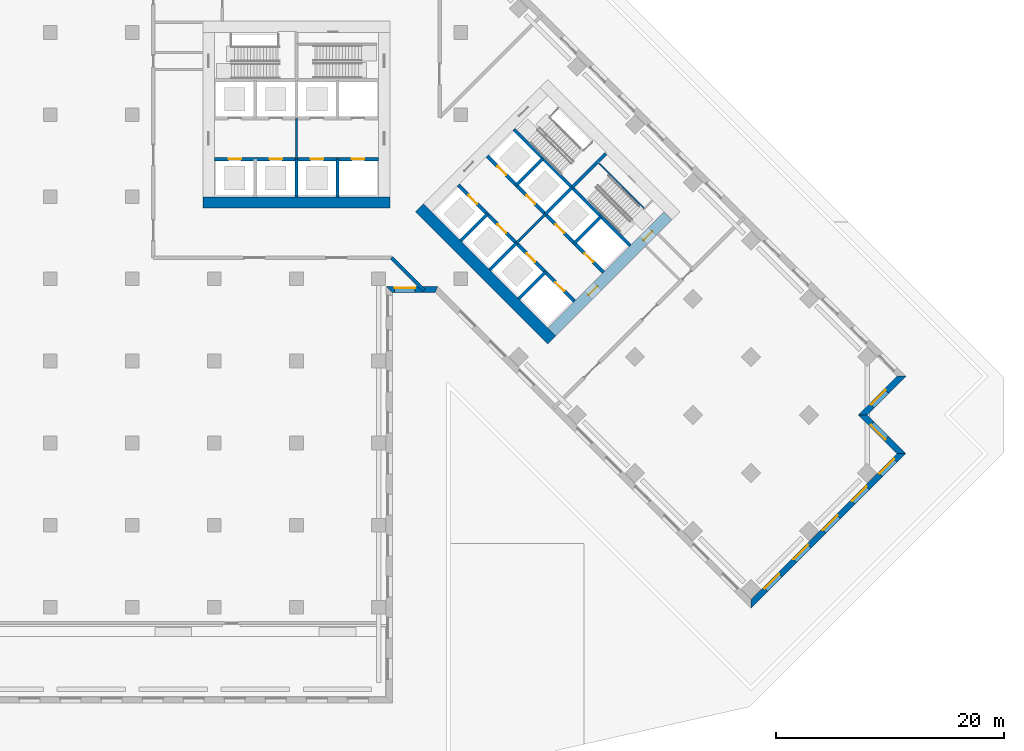
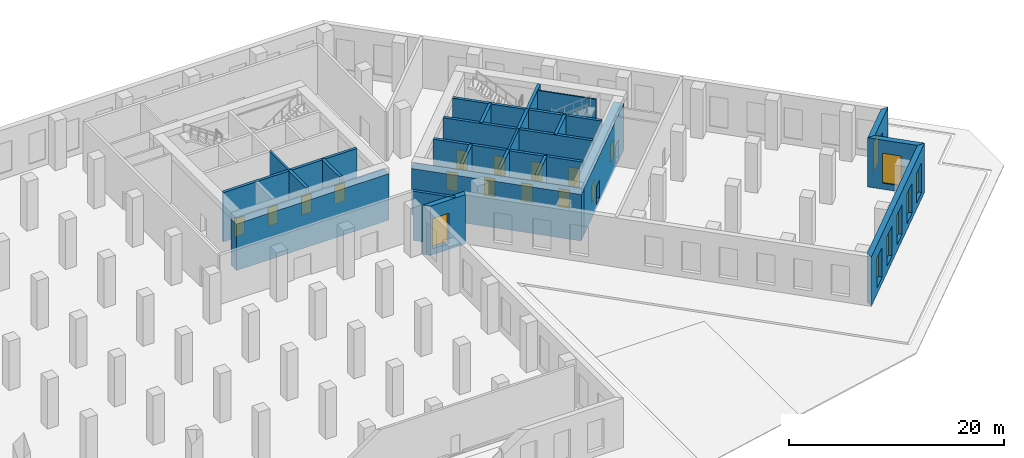
# One storey, part 6 of 15: 25 walls, 14 doors, 8 windows, 22 openings.
"""IFC4 building model written with IfcOpenShell, lengths in metres."""

from ifc_helpers import new_model, si_unit, direction, frame, frame_2d, origin, place, context, subcontext, project, spatial, polyline, rectangle, outline, extrude, material, layer, layer_set, type_object, element, fill, save


model = new_model("IFC4")

# Units and contexts
model_context = context("Model", 3, precision=1e-05, world=origin(), true_north=direction((0.0, 1.0)))
body_context = subcontext(model_context, "Body", "Model", "MODEL_VIEW")
ifc_project = project(units=[si_unit("LENGTHUNIT", "METRE"), si_unit("AREAUNIT", "SQUARE_METRE"), si_unit("VOLUMEUNIT", "CUBIC_METRE"), si_unit("PLANEANGLEUNIT", "RADIAN"), si_unit("MASSUNIT", "GRAM", prefix="KILO")], contexts=[model_context])

# Site, building, storey
site_placement = place(None, origin())
site = spatial("IfcSite", under=ifc_project, at=site_placement, CompositionType="ELEMENT")
building_placement = place(site_placement, origin())
building = spatial("IfcBuilding", under=site, at=building_placement, Name="Windrow Commons", CompositionType="ELEMENT")
storey_placement = place(building_placement, origin())
storey = spatial("IfcBuildingStorey", under=building, at=storey_placement, Name="L00", CompositionType="ELEMENT", Elevation=0.0)

# Wall, openings, windows
ifc_material_1 = material(Name="Brick masonry, red clay brick", Category="masonry")
ifc_layer_1 = layer(ifc_material_1, 0.55)
ifc_layer_set_1 = layer_set([ifc_layer_1], Name="Brick facade wall 550")
wall_type_1 = type_object("IfcWallType", Name="Brick facade wall 550", PredefinedType="SOLIDWALL", material=ifc_layer_set_1)
wall_1_placement = place(storey_placement, frame((104.6558, 14.689, 0.0), z_axis=(0.0, 0.0, 1.0), x_axis=(0.7071094621, 0.7071041002, 0.0)))
wall_1 = element("IfcWall", 1, at=wall_1_placement, inside=storey, type_object=wall_type_1, Name="Brick facade wall L00 1", PredefinedType="SOLIDWALL", context=body_context, shape_type="SweptSolid", body=[
    extrude(outline(polyline([(-0.275, -0.275), (18.925, -0.275), (18.375, 0.275), (0.275, 0.275), (-0.275, -0.275)])), origin(), (0.0, 0.0, 1.0), 5.6),
])
opening_1_placement = place(wall_1_placement, frame((1.825, 0.0, 0.7)))
opening_1 = element("IfcOpeningElement", 2, at=opening_1_placement, cuts=wall_1, Name="Opening W3", PredefinedType="OPENING", context=body_context, shape_type="SweptSolid", body=[
    extrude(rectangle(XDim=1.8, YDim=3.4, at=frame_2d((0.9, 1.7))), frame((0.0, 0.285, 0.0), z_axis=(0.0, -1.0, 0.0), x_axis=(1.0, 0.0, 0.0)), (0.0, 0.0, 1.0), 0.57),
])
opening_2_placement = place(wall_1_placement, frame((5.425, 0.0, 0.7)))
opening_2 = element("IfcOpeningElement", 3, at=opening_2_placement, cuts=wall_1, Name="Opening W3", PredefinedType="OPENING", context=body_context, shape_type="SweptSolid", body=[
    extrude(rectangle(XDim=1.8, YDim=3.4, at=frame_2d((0.9, 1.7))), frame((0.0, 0.285, 0.0), z_axis=(0.0, -1.0, 0.0), x_axis=(1.0, 0.0, 0.0)), (0.0, 0.0, 1.0), 0.57),
])
opening_3_placement = place(wall_1_placement, frame((9.025, 0.0, 0.7)))
opening_3 = element("IfcOpeningElement", 4, at=opening_3_placement, cuts=wall_1, Name="Opening W3", PredefinedType="OPENING", context=body_context, shape_type="SweptSolid", body=[
    extrude(rectangle(XDim=1.8, YDim=3.4, at=frame_2d((0.9, 1.7))), frame((0.0, 0.285, 0.0), z_axis=(0.0, -1.0, 0.0), x_axis=(1.0, 0.0, 0.0)), (0.0, 0.0, 1.0), 0.57),
])
opening_4_placement = place(wall_1_placement, frame((12.625, 0.0, 0.7)))
opening_4 = element("IfcOpeningElement", 5, at=opening_4_placement, cuts=wall_1, Name="Opening W3", PredefinedType="OPENING", context=body_context, shape_type="SweptSolid", body=[
    extrude(rectangle(XDim=1.8, YDim=3.4, at=frame_2d((0.9, 1.7))), frame((0.0, 0.285, 0.0), z_axis=(0.0, -1.0, 0.0), x_axis=(1.0, 0.0, 0.0)), (0.0, 0.0, 1.0), 0.57),
])
opening_5_placement = place(wall_1_placement, frame((16.05, 0.0, 0.7)))
opening_5 = element("IfcOpeningElement", 6, at=opening_5_placement, cuts=wall_1, Name="Opening W3", PredefinedType="OPENING", context=body_context, shape_type="SweptSolid", body=[
    extrude(rectangle(XDim=1.8, YDim=3.4, at=frame_2d((0.9, 1.7))), frame((0.0, 0.285, 0.0), z_axis=(0.0, -1.0, 0.0), x_axis=(1.0, 0.0, 0.0)), (0.0, 0.0, 1.0), 0.57),
])
ifc_material_2 = material(Name="Clear float glass in anodised aluminium frame", Category="aluminium")
window_type = type_object("IfcWindowType", Name="Window W3 shopfront 1800x3400", PartitioningType="SINGLE_PANEL", PredefinedType="WINDOW", material=ifc_material_2)
window_1_placement = place(opening_1_placement, origin())
window_1 = element("IfcWindow", 7, at=window_1_placement, inside=storey, type_object=window_type, Name="Window L00 1.1", OverallHeight=3.4, OverallWidth=1.8, PartitioningType="SINGLE_PANEL", PredefinedType="WINDOW", context=body_context, shape_type="SweptSolid", body=[
    extrude(rectangle(XDim=1.8, YDim=3.4, at=frame_2d((0.9, 1.7))), frame((0.0, 0.155, 0.0), z_axis=(0.0, -1.0, 0.0), x_axis=(1.0, 0.0, 0.0)), (0.0, 0.0, 1.0), 0.06),
])
fill(opening_1, window_1)
window_2_placement = place(opening_2_placement, origin())
window_2 = element("IfcWindow", 8, at=window_2_placement, inside=storey, type_object=window_type, Name="Window L00 1.2", OverallHeight=3.4, OverallWidth=1.8, PartitioningType="SINGLE_PANEL", PredefinedType="WINDOW", context=body_context, shape_type="SweptSolid", body=[
    extrude(rectangle(XDim=1.8, YDim=3.4, at=frame_2d((0.9, 1.7))), frame((0.0, 0.155, 0.0), z_axis=(0.0, -1.0, 0.0), x_axis=(1.0, 0.0, 0.0)), (0.0, 0.0, 1.0), 0.06),
])
fill(opening_2, window_2)
window_3_placement = place(opening_3_placement, origin())
window_3 = element("IfcWindow", 9, at=window_3_placement, inside=storey, type_object=window_type, Name="Window L00 1.3", OverallHeight=3.4, OverallWidth=1.8, PartitioningType="SINGLE_PANEL", PredefinedType="WINDOW", context=body_context, shape_type="SweptSolid", body=[
    extrude(rectangle(XDim=1.8, YDim=3.4, at=frame_2d((0.9, 1.7))), frame((0.0, 0.155, 0.0), z_axis=(0.0, -1.0, 0.0), x_axis=(1.0, 0.0, 0.0)), (0.0, 0.0, 1.0), 0.06),
])
fill(opening_3, window_3)
window_4_placement = place(opening_4_placement, origin())
window_4 = element("IfcWindow", 10, at=window_4_placement, inside=storey, type_object=window_type, Name="Window L00 1.4", OverallHeight=3.4, OverallWidth=1.8, PartitioningType="SINGLE_PANEL", PredefinedType="WINDOW", context=body_context, shape_type="SweptSolid", body=[
    extrude(rectangle(XDim=1.8, YDim=3.4, at=frame_2d((0.9, 1.7))), frame((0.0, 0.155, 0.0), z_axis=(0.0, -1.0, 0.0), x_axis=(1.0, 0.0, 0.0)), (0.0, 0.0, 1.0), 0.06),
])
fill(opening_4, window_4)
window_5_placement = place(opening_5_placement, origin())
window_5 = element("IfcWindow", 11, at=window_5_placement, inside=storey, type_object=window_type, Name="Window L00 1.5", OverallHeight=3.4, OverallWidth=1.8, PartitioningType="SINGLE_PANEL", PredefinedType="WINDOW", context=body_context, shape_type="SweptSolid", body=[
    extrude(rectangle(XDim=1.8, YDim=3.4, at=frame_2d((0.9, 1.7))), frame((0.0, 0.155, 0.0), z_axis=(0.0, -1.0, 0.0), x_axis=(1.0, 0.0, 0.0)), (0.0, 0.0, 1.0), 0.06),
])
fill(opening_5, window_5)

# Wall, opening, window
wall_2_placement = place(storey_placement, frame((117.8434, 27.8765, 0.0), z_axis=(0.0, 0.0, 1.0), x_axis=(-0.7071067812, 0.7071067812, 0.0)))
wall_2 = element("IfcWall", 12, at=wall_2_placement, inside=storey, type_object=wall_type_1, Name="Brick facade wall L00 2", PredefinedType="SOLIDWALL", context=body_context, shape_type="SweptSolid", body=[
    extrude(outline(polyline([(-0.275, -0.275), (4.525, -0.275), (5.075, 0.275), (0.275, 0.275), (-0.275, -0.275)])), origin(), (0.0, 0.0, 1.0), 5.6),
])
opening_6_placement = place(wall_2_placement, frame((1.8625, 0.0, 0.7)))
opening_6 = element("IfcOpeningElement", 13, at=opening_6_placement, cuts=wall_2, Name="Opening W3", PredefinedType="OPENING", context=body_context, shape_type="SweptSolid", body=[
    extrude(rectangle(XDim=1.8, YDim=3.4, at=frame_2d((0.9, 1.7))), frame((0.0, 0.285, 0.0), z_axis=(0.0, -1.0, 0.0), x_axis=(1.0, 0.0, 0.0)), (0.0, 0.0, 1.0), 0.57),
])
window_6_placement = place(opening_6_placement, origin())
window_6 = element("IfcWindow", 14, at=window_6_placement, inside=storey, type_object=window_type, Name="Window L00 2.1", OverallHeight=3.4, OverallWidth=1.8, PartitioningType="SINGLE_PANEL", PredefinedType="WINDOW", context=body_context, shape_type="SweptSolid", body=[
    extrude(rectangle(XDim=1.8, YDim=3.4, at=frame_2d((0.9, 1.7))), frame((0.0, 0.155, 0.0), z_axis=(0.0, -1.0, 0.0), x_axis=(1.0, 0.0, 0.0)), (0.0, 0.0, 1.0), 0.06),
])
fill(opening_6, window_6)

wall_3_placement = place(storey_placement, frame((114.4493, 31.2706, 0.0), z_axis=(0.0, 0.0, 1.0), x_axis=(0.7070963646, 0.7071171977, 0.0)))
wall_3 = element("IfcWall", 15, at=wall_3_placement, inside=storey, type_object=wall_type_1, Name="Brick facade wall L00 3", PredefinedType="SOLIDWALL", context=body_context, shape_type="SweptSolid", body=[
    extrude(outline(polyline([(0.275, -0.275), (5.075, -0.275), (4.5251, 0.275), (-0.275, 0.275), (0.275, -0.275)])), origin(), (0.0, 0.0, 1.0), 5.6),
])
opening_7_placement = place(wall_3_placement, frame((1.1375, 0.0, 0.7)))
opening_7 = element("IfcOpeningElement", 16, at=opening_7_placement, cuts=wall_3, Name="Opening W3", PredefinedType="OPENING", context=body_context, shape_type="SweptSolid", body=[
    extrude(rectangle(XDim=1.8, YDim=3.4, at=frame_2d((0.9, 1.7))), frame((0.0, 0.285, 0.0), z_axis=(0.0, -1.0, 0.0), x_axis=(1.0, 0.0, 0.0)), (0.0, 0.0, 1.0), 0.57),
])
window_7_placement = place(opening_7_placement, origin())
window_7 = element("IfcWindow", 17, at=window_7_placement, inside=storey, type_object=window_type, Name="Window L00 3.1", OverallHeight=3.4, OverallWidth=1.8, PartitioningType="SINGLE_PANEL", PredefinedType="WINDOW", context=body_context, shape_type="SweptSolid", body=[
    extrude(rectangle(XDim=1.8, YDim=3.4, at=frame_2d((0.9, 1.7))), frame((0.0, 0.155, 0.0), z_axis=(0.0, -1.0, 0.0), x_axis=(1.0, 0.0, 0.0)), (0.0, 0.0, 1.0), 0.06),
])
fill(opening_7, window_7)

wall_4_placement = place(storey_placement, frame((72.925, 42.275, 0.0), z_axis=(0.0, 0.0, 1.0), x_axis=(1.0, 0.0, 0.0)))
wall_4 = element("IfcWall", 18, at=wall_4_placement, inside=storey, type_object=wall_type_1, Name="Brick facade wall L00 16", PredefinedType="SOLIDWALL", context=body_context, shape_type="SweptSolid", body=[
    extrude(outline(polyline([(0.275, -0.275), (4.0309, -0.275), (4.2587, 0.275), (-0.275, 0.275), (0.275, -0.275)])), origin(), (0.0, 0.0, 1.0), 5.6),
])
opening_8_placement = place(wall_4_placement, frame((0.4875, 0.0, 0.7)))
opening_8 = element("IfcOpeningElement", 19, at=opening_8_placement, cuts=wall_4, Name="Opening W3", PredefinedType="OPENING", context=body_context, shape_type="SweptSolid", body=[
    extrude(rectangle(XDim=1.8, YDim=3.4, at=frame_2d((0.9, 1.7))), frame((0.0, 0.285, 0.0), z_axis=(0.0, -1.0, 0.0), x_axis=(1.0, 0.0, 0.0)), (0.0, 0.0, 1.0), 0.57),
])
window_8_placement = place(opening_8_placement, origin())
window_8 = element("IfcWindow", 20, at=window_8_placement, inside=storey, type_object=window_type, Name="Window L00 16.1", OverallHeight=3.4, OverallWidth=1.8, PartitioningType="SINGLE_PANEL", PredefinedType="WINDOW", context=body_context, shape_type="SweptSolid", body=[
    extrude(rectangle(XDim=1.8, YDim=3.4, at=frame_2d((0.9, 1.7))), frame((0.0, 0.155, 0.0), z_axis=(0.0, -1.0, 0.0), x_axis=(1.0, 0.0, 0.0)), (0.0, 0.0, 1.0), 0.06),
])
fill(opening_8, window_8)

# Walls
ifc_material_3 = material(Name="Blockwork partition", Category="masonry")
ifc_layer_2 = layer(ifc_material_3, 0.3)
ifc_layer_set_2 = layer_set([ifc_layer_2], Name="Entrance hall wall 300")
wall_type_2 = type_object("IfcWallType", Name="Entrance hall wall 300", PredefinedType="PARTITIONING", material=ifc_layer_set_2)
wall_5_placement = place(storey_placement, frame((75.9781, 42.2, 0.0), z_axis=(0.0, 0.0, 1.0), x_axis=(-0.7071067812, 0.7071067812, 0.0)))
element("IfcWall", 21, at=wall_5_placement, inside=storey, type_object=wall_type_2, Name="W-L00-ENT-05", PredefinedType="PARTITIONING", context=body_context, shape_type="SweptSolid", body=[
    extrude(rectangle(XDim=4.0305, YDim=0.3, at=frame_2d((2.0152, 0.0))), origin(), (0.0, 0.0, 1.0), 5.6),
])
ifc_material_4 = material(Name="Blockwork partition", Category="masonry")
ifc_layer_3 = layer(ifc_material_4, 0.2)
ifc_layer_set_3 = layer_set([ifc_layer_3], Name="Fire lobby partition 200")
wall_type_3 = type_object("IfcWallType", Name="Fire lobby partition 200", PredefinedType="PARTITIONING", material=ifc_layer_set_3)
for number, where, z_axis, x_axis, name in (
    (22, (64.8, 53.7, 0.0), (0.0, 0.0, 1.0), (0.0, 1.0, 0.0), "W-core-lobby-A-L00"),
    (23, (84.079, 46.332, 0.0), (0.0, 0.0, 1.0), (0.7071067812, 0.7071067812, 0.0), "W-core-lobby-B-L00"),
):
    element("IfcWall", number, at=place(storey_placement, frame(where, z_axis=z_axis, x_axis=x_axis)), inside=storey, type_object=wall_type_3, Name=name, PredefinedType="PARTITIONING", context=body_context, shape_type="SweptSolid", body=[
        extrude(rectangle(XDim=3.6, YDim=0.2, at=frame_2d((1.8, 0.0))), origin(), (0.0, 0.0, 1.0), 5.6),
    ])
ifc_material_5 = material(Name="Concrete C60/75", Category="concrete")
ifc_layer_4 = layer(ifc_material_5, 1.0)
ifc_layer_set_4 = layer_set([ifc_layer_4], Name="RC CORE WALL 1000 C60/75")
wall_type_4 = type_object("IfcWallType", Name="RC CORE WALL 1000 C60/75", PredefinedType="SHEAR", material=ifc_layer_set_4)
for number, where, z_axis, x_axis, name in (
    (24, (56.6, 49.9, -0.4), (0.0, 0.0, 1.0), (1.0, 0.0, 0.0), "Core A wall outer-S"),
    (25, (75.5938, 49.4433, -0.4), (0.0, 0.0, 1.0), (0.7071037324, -0.70710983, 0.0), "Core B wall outer-S"),
):
    element("IfcWall", number, at=place(storey_placement, frame(where, z_axis=z_axis, x_axis=x_axis)), inside=storey, type_object=wall_type_4, Name=name, PredefinedType="SHEAR", context=body_context, shape_type="SweptSolid", body=[
        extrude(rectangle(XDim=16.4, YDim=1.0, at=frame_2d((8.2, 0.0))), origin(), (0.0, 0.0, 1.0), 5.3),
    ])

# Wall, openings, doors
wall_6_placement = place(storey_placement, frame((87.1903, 38.5538, -0.4), z_axis=(0.0, 0.0, 1.0), x_axis=(0.707103309, 0.7071102534, 0.0)))
wall_6 = element("IfcWall", 26, at=wall_6_placement, inside=storey, type_object=wall_type_4, Name="Core B wall outer-E", PredefinedType="SHEAR", context=body_context, shape_type="SweptSolid", body=[
    extrude(rectangle(XDim=14.4, YDim=1.0, at=frame_2d((7.2, 0.0))), origin(), (0.0, 0.0, 1.0), 5.3),
])
opening_9_placement = place(wall_6_placement, frame((4.55, 0.0, 0.4)))
opening_9 = element("IfcOpeningElement", 27, at=opening_9_placement, cuts=wall_6, Name="Opening D6", PredefinedType="OPENING", context=body_context, shape_type="SweptSolid", body=[
    extrude(rectangle(XDim=1.1, YDim=2.1, at=frame_2d((0.55, 1.05))), frame((0.0, 0.51, 0.0), z_axis=(0.0, -1.0, 0.0), x_axis=(1.0, 0.0, 0.0)), (0.0, 0.0, 1.0), 1.02),
])
opening_10_placement = place(wall_6_placement, frame((11.35, 0.0, 0.4)))
opening_10 = element("IfcOpeningElement", 28, at=opening_10_placement, cuts=wall_6, Name="Opening D7", PredefinedType="OPENING", context=body_context, shape_type="SweptSolid", body=[
    extrude(rectangle(XDim=1.1, YDim=2.1, at=frame_2d((0.55, 1.05))), frame((0.0, 0.51, 0.0), z_axis=(0.0, -1.0, 0.0), x_axis=(1.0, 0.0, 0.0)), (0.0, 0.0, 1.0), 1.02),
])
ifc_material_6 = material(Name="Steel fire door leaf", Category="steel")
door_type_1 = type_object("IfcDoorType", Name="Core lobby door 1100", OperationType="SINGLE_SWING_LEFT", PredefinedType="DOOR", material=ifc_material_6)
door_1_placement = place(opening_9_placement, origin())
door_1 = element("IfcDoor", 29, at=door_1_placement, inside=storey, type_object=door_type_1, Name="Lift lobby door", OperationType="DOUBLE_DOOR_SINGLE_SWING", OverallHeight=2.1, OverallWidth=1.1, PredefinedType="DOOR", context=body_context, shape_type="SweptSolid", body=[
    extrude(rectangle(XDim=1.1, YDim=2.1, at=frame_2d((0.55, 1.05))), frame((0.0, 0.025, 0.0), z_axis=(0.0, -1.0, 0.0), x_axis=(1.0, 0.0, 0.0)), (0.0, 0.0, 1.0), 0.05),
])
fill(opening_9, door_1)
ifc_material_7 = material(Name="Steel fire door leaf", Category="steel")
door_type_2 = type_object("IfcDoorType", Name="Stair door 1100", OperationType="SINGLE_SWING_LEFT", PredefinedType="DOOR", material=ifc_material_7)
door_2_placement = place(opening_10_placement, origin())
door_2 = element("IfcDoor", 30, at=door_2_placement, inside=storey, type_object=door_type_2, Name="Stair door", OperationType="SINGLE_SWING_RIGHT", OverallHeight=2.1, OverallWidth=1.1, PredefinedType="DOOR", context=body_context, shape_type="SweptSolid", body=[
    extrude(rectangle(XDim=1.1, YDim=2.1, at=frame_2d((0.55, 1.05))), frame((0.0, 0.025, 0.0), z_axis=(0.0, -1.0, 0.0), x_axis=(1.0, 0.0, 0.0)), (0.0, 0.0, 1.0), 0.05),
])
fill(opening_10, door_2)

# Walls
ifc_material_8 = material(Name="Concrete C60/75", Category="concrete")
ifc_layer_5 = layer(ifc_material_8, 0.3)
ifc_layer_set_5 = layer_set([ifc_layer_5], Name="RC SHAFT WALL 300 C60/75")
wall_type_5 = type_object("IfcWallType", Name="RC SHAFT WALL 300 C60/75", PredefinedType="SOLIDWALL", material=ifc_layer_set_5)
for number, where, z_axis, x_axis, name in (
    (31, (64.8, 50.4, 0.0), (0.0, 0.0, 1.0), (0.0, 1.0, 0.0), "Core A wall shaft-S2"),
    (32, (68.4, 50.4, 0.0), (0.0, 0.0, 1.0), (0.0, 1.0, 0.0), "Core A wall shaft-S3"),
):
    element("IfcWall", number, at=place(storey_placement, frame(where, z_axis=z_axis, x_axis=x_axis)), inside=storey, type_object=wall_type_5, Name=name, PredefinedType="SOLIDWALL", context=body_context, shape_type="SweptSolid", body=[
        extrude(rectangle(XDim=3.3, YDim=0.3, at=frame_2d((1.65, 0.0))), origin(), (0.0, 0.0, 1.0), 5.6),
    ])

# Wall, openings, doors
wall_7_placement = place(storey_placement, frame((57.6, 53.7, 0.0), z_axis=(0.0, 0.0, 1.0), x_axis=(1.0, 0.0, 0.0)))
wall_7 = element("IfcWall", 33, at=wall_7_placement, inside=storey, type_object=wall_type_5, Name="Core A wall lobby-S", PredefinedType="SOLIDWALL", context=body_context, shape_type="SweptSolid", body=[
    extrude(rectangle(XDim=14.4, YDim=0.3, at=frame_2d((7.2, 0.0))), origin(), (0.0, 0.0, 1.0), 5.6),
])
opening_11_placement = place(wall_7_placement, frame((1.25, 0.0, 0.0)))
opening_11 = element("IfcOpeningElement", 34, at=opening_11_placement, cuts=wall_7, Name="Opening LD", PredefinedType="OPENING", context=body_context, shape_type="SweptSolid", body=[
    extrude(rectangle(XDim=1.1, YDim=2.1, at=frame_2d((0.55, 1.05))), frame((0.0, 0.16, 0.0), z_axis=(0.0, -1.0, 0.0), x_axis=(1.0, 0.0, 0.0)), (0.0, 0.0, 1.0), 0.32),
])
opening_12_placement = place(wall_7_placement, frame((4.85, 0.0, 0.0)))
opening_12 = element("IfcOpeningElement", 35, at=opening_12_placement, cuts=wall_7, Name="Opening LD", PredefinedType="OPENING", context=body_context, shape_type="SweptSolid", body=[
    extrude(rectangle(XDim=1.1, YDim=2.1, at=frame_2d((0.55, 1.05))), frame((0.0, 0.16, 0.0), z_axis=(0.0, -1.0, 0.0), x_axis=(1.0, 0.0, 0.0)), (0.0, 0.0, 1.0), 0.32),
])
opening_13_placement = place(wall_7_placement, frame((8.45, 0.0, 0.0)))
opening_13 = element("IfcOpeningElement", 36, at=opening_13_placement, cuts=wall_7, Name="Opening LD", PredefinedType="OPENING", context=body_context, shape_type="SweptSolid", body=[
    extrude(rectangle(XDim=1.1, YDim=2.1, at=frame_2d((0.55, 1.05))), frame((0.0, 0.16, 0.0), z_axis=(0.0, -1.0, 0.0), x_axis=(1.0, 0.0, 0.0)), (0.0, 0.0, 1.0), 0.32),
])
opening_14_placement = place(wall_7_placement, frame((12.05, 0.0, 0.0)))
opening_14 = element("IfcOpeningElement", 37, at=opening_14_placement, cuts=wall_7, Name="Opening LD", PredefinedType="OPENING", context=body_context, shape_type="SweptSolid", body=[
    extrude(rectangle(XDim=1.1, YDim=2.1, at=frame_2d((0.55, 1.05))), frame((0.0, 0.16, 0.0), z_axis=(0.0, -1.0, 0.0), x_axis=(1.0, 0.0, 0.0)), (0.0, 0.0, 1.0), 0.32),
])
ifc_material_9 = material(Name="Stainless steel door leaf", Category="steel")
door_type_3 = type_object("IfcDoorType", Name="Lift landing door 1100", OperationType="SLIDING_TO_LEFT", PredefinedType="DOOR", material=ifc_material_9)
door_3_placement = place(opening_11_placement, origin())
door_3 = element("IfcDoor", 38, at=door_3_placement, inside=storey, type_object=door_type_3, Name="Lift landing door", OperationType="SLIDING_TO_LEFT", OverallHeight=2.1, OverallWidth=1.1, PredefinedType="DOOR", context=body_context, shape_type="SweptSolid", body=[
    extrude(rectangle(XDim=1.1, YDim=2.1, at=frame_2d((0.55, 1.05))), frame((0.0, 0.025, 0.0), z_axis=(0.0, -1.0, 0.0), x_axis=(1.0, 0.0, 0.0)), (0.0, 0.0, 1.0), 0.05),
])
fill(opening_11, door_3)
door_4_placement = place(opening_12_placement, origin())
door_4 = element("IfcDoor", 39, at=door_4_placement, inside=storey, type_object=door_type_3, Name="Lift landing door", OperationType="SLIDING_TO_RIGHT", OverallHeight=2.1, OverallWidth=1.1, PredefinedType="DOOR", context=body_context, shape_type="SweptSolid", body=[
    extrude(rectangle(XDim=1.1, YDim=2.1, at=frame_2d((0.55, 1.05))), frame((0.0, 0.025, 0.0), z_axis=(0.0, -1.0, 0.0), x_axis=(1.0, 0.0, 0.0)), (0.0, 0.0, 1.0), 0.05),
])
fill(opening_12, door_4)
door_5_placement = place(opening_13_placement, origin())
door_5 = element("IfcDoor", 40, at=door_5_placement, inside=storey, type_object=door_type_3, Name="Lift landing door", OperationType="SLIDING_TO_LEFT", OverallHeight=2.1, OverallWidth=1.1, PredefinedType="DOOR", context=body_context, shape_type="SweptSolid", body=[
    extrude(rectangle(XDim=1.1, YDim=2.1, at=frame_2d((0.55, 1.05))), frame((0.0, 0.025, 0.0), z_axis=(0.0, -1.0, 0.0), x_axis=(1.0, 0.0, 0.0)), (0.0, 0.0, 1.0), 0.05),
])
fill(opening_13, door_5)
door_6_placement = place(opening_14_placement, origin())
door_6 = element("IfcDoor", 41, at=door_6_placement, inside=storey, type_object=door_type_3, Name="Lift landing door", OperationType="SLIDING_TO_RIGHT", OverallHeight=2.1, OverallWidth=1.1, PredefinedType="DOOR", context=body_context, shape_type="SweptSolid", body=[
    extrude(rectangle(XDim=1.1, YDim=2.1, at=frame_2d((0.55, 1.05))), frame((0.0, 0.025, 0.0), z_axis=(0.0, -1.0, 0.0), x_axis=(1.0, 0.0, 0.0)), (0.0, 0.0, 1.0), 0.05),
])
fill(opening_14, door_6)

# Walls
for number, where, z_axis, x_axis, name in (
    (42, (79.2, 46.5442, 0.0), (0.0, 0.0, 1.0), (0.7071219326, 0.7070916295, 0.0), "Core B wall shaft-S1"),
    (43, (84.079, 51.4232, 0.0), (0.0, 0.0, 1.0), (0.7071219326, 0.7070916295, 0.0), "Core B wall shaft-N1"),
):
    element("IfcWall", number, at=place(storey_placement, frame(where, z_axis=z_axis, x_axis=x_axis)), inside=storey, type_object=wall_type_5, Name=name, PredefinedType="SOLIDWALL", context=body_context, shape_type="SweptSolid", body=[
        extrude(rectangle(XDim=3.3, YDim=0.3, at=frame_2d((1.65, 0.0))), origin(), (0.0, 0.0, 1.0), 5.6),
    ])
wall_8_placement = place(storey_placement, frame((81.7456, 43.9986, 0.0), z_axis=(0.0, 0.0, 1.0), x_axis=(0.7071067812, 0.7071067812, 0.0)))
element("IfcWall", 44, at=wall_8_placement, inside=storey, type_object=wall_type_5, Name="Core B wall shaft-S2", PredefinedType="SOLIDWALL", context=body_context, shape_type="SweptSolid", body=[
    extrude(rectangle(XDim=3.2999, YDim=0.3, at=frame_2d((1.65, 0.0))), origin(), (0.0, 0.0, 1.0), 5.6),
])
wall_9_placement = place(storey_placement, frame((86.6246, 48.8776, 0.0), z_axis=(0.0, 0.0, 1.0), x_axis=(0.7071067812, 0.7071067812, 0.0)))
element("IfcWall", 45, at=wall_9_placement, inside=storey, type_object=wall_type_5, Name="Core B wall shaft-N2", PredefinedType="SOLIDWALL", context=body_context, shape_type="SweptSolid", body=[
    extrude(rectangle(XDim=3.3001, YDim=0.3, at=frame_2d((1.6501, 0.0))), origin(), (0.0, 0.0, 1.0), 5.6),
])
wall_10_placement = place(storey_placement, frame((84.2912, 41.453, 0.0), z_axis=(0.0, 0.0, 1.0), x_axis=(0.7071067812, 0.7071067812, 0.0)))
element("IfcWall", 46, at=wall_10_placement, inside=storey, type_object=wall_type_5, Name="Core B wall shaft-S3", PredefinedType="SOLIDWALL", context=body_context, shape_type="SweptSolid", body=[
    extrude(rectangle(XDim=3.2999, YDim=0.3, at=frame_2d((1.65, 0.0))), origin(), (0.0, 0.0, 1.0), 5.6),
])
wall_11_placement = place(storey_placement, frame((89.1702, 46.332, 0.0), z_axis=(0.0, 0.0, 1.0), x_axis=(0.7071067812, 0.7071067812, 0.0)))
element("IfcWall", 47, at=wall_11_placement, inside=storey, type_object=wall_type_5, Name="Core B wall shaft-N3", PredefinedType="SOLIDWALL", context=body_context, shape_type="SweptSolid", body=[
    extrude(rectangle(XDim=3.3001, YDim=0.3, at=frame_2d((1.6501, 0.0))), origin(), (0.0, 0.0, 1.0), 5.6),
])

# Wall, openings, doors
wall_12_placement = place(storey_placement, frame((78.9879, 51.4232, 0.0), z_axis=(0.0, 0.0, 1.0), x_axis=(0.7071067812, -0.7071067812, 0.0)))
wall_12 = element("IfcWall", 48, at=wall_12_placement, inside=storey, type_object=wall_type_5, Name="Core B wall lobby-S", PredefinedType="SOLIDWALL", context=body_context, shape_type="SweptSolid", body=[
    extrude(rectangle(XDim=14.3999, YDim=0.3, at=frame_2d((7.2, 0.0))), origin(), (0.0, 0.0, 1.0), 5.6),
])
opening_15_placement = place(wall_12_placement, frame((1.25, 0.0, 0.0)))
opening_15 = element("IfcOpeningElement", 49, at=opening_15_placement, cuts=wall_12, Name="Opening LD", PredefinedType="OPENING", context=body_context, shape_type="SweptSolid", body=[
    extrude(rectangle(XDim=1.1, YDim=2.1, at=frame_2d((0.55, 1.05))), frame((0.0, 0.16, 0.0), z_axis=(0.0, -1.0, 0.0), x_axis=(1.0, 0.0, 0.0)), (0.0, 0.0, 1.0), 0.32),
])
opening_16_placement = place(wall_12_placement, frame((4.85, 0.0, 0.0)))
opening_16 = element("IfcOpeningElement", 50, at=opening_16_placement, cuts=wall_12, Name="Opening LD", PredefinedType="OPENING", context=body_context, shape_type="SweptSolid", body=[
    extrude(rectangle(XDim=1.1, YDim=2.1, at=frame_2d((0.55, 1.05))), frame((0.0, 0.16, 0.0), z_axis=(0.0, -1.0, 0.0), x_axis=(1.0, 0.0, 0.0)), (0.0, 0.0, 1.0), 0.32),
])
opening_17_placement = place(wall_12_placement, frame((8.45, 0.0, 0.0)))
opening_17 = element("IfcOpeningElement", 51, at=opening_17_placement, cuts=wall_12, Name="Opening LD", PredefinedType="OPENING", context=body_context, shape_type="SweptSolid", body=[
    extrude(rectangle(XDim=1.1, YDim=2.1, at=frame_2d((0.55, 1.05))), frame((0.0, 0.16, 0.0), z_axis=(0.0, -1.0, 0.0), x_axis=(1.0, 0.0, 0.0)), (0.0, 0.0, 1.0), 0.32),
])
opening_18_placement = place(wall_12_placement, frame((12.05, 0.0, 0.0)))
opening_18 = element("IfcOpeningElement", 52, at=opening_18_placement, cuts=wall_12, Name="Opening LD", PredefinedType="OPENING", context=body_context, shape_type="SweptSolid", body=[
    extrude(rectangle(XDim=1.1, YDim=2.1, at=frame_2d((0.55, 1.05))), frame((0.0, 0.16, 0.0), z_axis=(0.0, -1.0, 0.0), x_axis=(1.0, 0.0, 0.0)), (0.0, 0.0, 1.0), 0.32),
])
door_7_placement = place(opening_15_placement, origin())
door_7 = element("IfcDoor", 53, at=door_7_placement, inside=storey, type_object=door_type_3, Name="Lift landing door", OperationType="SLIDING_TO_LEFT", OverallHeight=2.1, OverallWidth=1.1, PredefinedType="DOOR", context=body_context, shape_type="SweptSolid", body=[
    extrude(rectangle(XDim=1.1, YDim=2.1, at=frame_2d((0.55, 1.05))), frame((0.0, 0.025, 0.0), z_axis=(0.0, -1.0, 0.0), x_axis=(1.0, 0.0, 0.0)), (0.0, 0.0, 1.0), 0.05),
])
fill(opening_15, door_7)
door_8_placement = place(opening_16_placement, origin())
door_8 = element("IfcDoor", 54, at=door_8_placement, inside=storey, type_object=door_type_3, Name="Lift landing door", OperationType="SLIDING_TO_RIGHT", OverallHeight=2.1, OverallWidth=1.1, PredefinedType="DOOR", context=body_context, shape_type="SweptSolid", body=[
    extrude(rectangle(XDim=1.1, YDim=2.1, at=frame_2d((0.55, 1.05))), frame((0.0, 0.025, 0.0), z_axis=(0.0, -1.0, 0.0), x_axis=(1.0, 0.0, 0.0)), (0.0, 0.0, 1.0), 0.05),
])
fill(opening_16, door_8)
door_9_placement = place(opening_17_placement, origin())
door_9 = element("IfcDoor", 55, at=door_9_placement, inside=storey, type_object=door_type_3, Name="Lift landing door", OperationType="SLIDING_TO_LEFT", OverallHeight=2.1, OverallWidth=1.1, PredefinedType="DOOR", context=body_context, shape_type="SweptSolid", body=[
    extrude(rectangle(XDim=1.1, YDim=2.1, at=frame_2d((0.55, 1.05))), frame((0.0, 0.025, 0.0), z_axis=(0.0, -1.0, 0.0), x_axis=(1.0, 0.0, 0.0)), (0.0, 0.0, 1.0), 0.05),
])
fill(opening_17, door_9)
door_10_placement = place(opening_18_placement, origin())
door_10 = element("IfcDoor", 56, at=door_10_placement, inside=storey, type_object=door_type_3, Name="Lift landing door", OperationType="SLIDING_TO_RIGHT", OverallHeight=2.1, OverallWidth=1.1, PredefinedType="DOOR", context=body_context, shape_type="SweptSolid", body=[
    extrude(rectangle(XDim=1.1, YDim=2.1, at=frame_2d((0.55, 1.05))), frame((0.0, 0.025, 0.0), z_axis=(0.0, -1.0, 0.0), x_axis=(1.0, 0.0, 0.0)), (0.0, 0.0, 1.0), 0.05),
])
fill(opening_18, door_10)

wall_13_placement = place(storey_placement, frame((81.5335, 53.9688, 0.0), z_axis=(0.0, 0.0, 1.0), x_axis=(0.707103309, -0.7071102534, 0.0)))
wall_13 = element("IfcWall", 57, at=wall_13_placement, inside=storey, type_object=wall_type_5, Name="Core B wall lobby-N", PredefinedType="SOLIDWALL", context=body_context, shape_type="SweptSolid", body=[
    extrude(rectangle(XDim=14.4, YDim=0.3, at=frame_2d((7.2, 0.0))), origin(), (0.0, 0.0, 1.0), 5.6),
])
opening_19_placement = place(wall_13_placement, frame((1.25, 0.0, 0.0)))
opening_19 = element("IfcOpeningElement", 58, at=opening_19_placement, cuts=wall_13, Name="Opening LD", PredefinedType="OPENING", context=body_context, shape_type="SweptSolid", body=[
    extrude(rectangle(XDim=1.1, YDim=2.1, at=frame_2d((0.55, 1.05))), frame((0.0, 0.16, 0.0), z_axis=(0.0, -1.0, 0.0), x_axis=(1.0, 0.0, 0.0)), (0.0, 0.0, 1.0), 0.32),
])
opening_20_placement = place(wall_13_placement, frame((4.85, 0.0, 0.0)))
opening_20 = element("IfcOpeningElement", 59, at=opening_20_placement, cuts=wall_13, Name="Opening LD", PredefinedType="OPENING", context=body_context, shape_type="SweptSolid", body=[
    extrude(rectangle(XDim=1.1, YDim=2.1, at=frame_2d((0.55, 1.05))), frame((0.0, 0.16, 0.0), z_axis=(0.0, -1.0, 0.0), x_axis=(1.0, 0.0, 0.0)), (0.0, 0.0, 1.0), 0.32),
])
opening_21_placement = place(wall_13_placement, frame((8.45, 0.0, 0.0)))
opening_21 = element("IfcOpeningElement", 60, at=opening_21_placement, cuts=wall_13, Name="Opening LD", PredefinedType="OPENING", context=body_context, shape_type="SweptSolid", body=[
    extrude(rectangle(XDim=1.1, YDim=2.1, at=frame_2d((0.55, 1.05))), frame((0.0, 0.16, 0.0), z_axis=(0.0, -1.0, 0.0), x_axis=(1.0, 0.0, 0.0)), (0.0, 0.0, 1.0), 0.32),
])
opening_22_placement = place(wall_13_placement, frame((12.05, 0.0, 0.0)))
opening_22 = element("IfcOpeningElement", 61, at=opening_22_placement, cuts=wall_13, Name="Opening LD", PredefinedType="OPENING", context=body_context, shape_type="SweptSolid", body=[
    extrude(rectangle(XDim=1.1, YDim=2.1, at=frame_2d((0.55, 1.05))), frame((0.0, 0.16, 0.0), z_axis=(0.0, -1.0, 0.0), x_axis=(1.0, 0.0, 0.0)), (0.0, 0.0, 1.0), 0.32),
])
door_11_placement = place(opening_19_placement, origin())
door_11 = element("IfcDoor", 62, at=door_11_placement, inside=storey, type_object=door_type_3, Name="Lift landing door", OperationType="SLIDING_TO_LEFT", OverallHeight=2.1, OverallWidth=1.1, PredefinedType="DOOR", context=body_context, shape_type="SweptSolid", body=[
    extrude(rectangle(XDim=1.1, YDim=2.1, at=frame_2d((0.55, 1.05))), frame((0.0, 0.025, 0.0), z_axis=(0.0, -1.0, 0.0), x_axis=(1.0, 0.0, 0.0)), (0.0, 0.0, 1.0), 0.05),
])
fill(opening_19, door_11)
door_12_placement = place(opening_20_placement, origin())
door_12 = element("IfcDoor", 63, at=door_12_placement, inside=storey, type_object=door_type_3, Name="Lift landing door", OperationType="SLIDING_TO_RIGHT", OverallHeight=2.1, OverallWidth=1.1, PredefinedType="DOOR", context=body_context, shape_type="SweptSolid", body=[
    extrude(rectangle(XDim=1.1, YDim=2.1, at=frame_2d((0.55, 1.05))), frame((0.0, 0.025, 0.0), z_axis=(0.0, -1.0, 0.0), x_axis=(1.0, 0.0, 0.0)), (0.0, 0.0, 1.0), 0.05),
])
fill(opening_20, door_12)
door_13_placement = place(opening_21_placement, origin())
door_13 = element("IfcDoor", 64, at=door_13_placement, inside=storey, type_object=door_type_3, Name="Lift landing door", OperationType="SLIDING_TO_LEFT", OverallHeight=2.1, OverallWidth=1.1, PredefinedType="DOOR", context=body_context, shape_type="SweptSolid", body=[
    extrude(rectangle(XDim=1.1, YDim=2.1, at=frame_2d((0.55, 1.05))), frame((0.0, 0.025, 0.0), z_axis=(0.0, -1.0, 0.0), x_axis=(1.0, 0.0, 0.0)), (0.0, 0.0, 1.0), 0.05),
])
fill(opening_21, door_13)
door_14_placement = place(opening_22_placement, origin())
door_14 = element("IfcDoor", 65, at=door_14_placement, inside=storey, type_object=door_type_3, Name="Lift landing door", OperationType="SLIDING_TO_RIGHT", OverallHeight=2.1, OverallWidth=1.1, PredefinedType="DOOR", context=body_context, shape_type="SweptSolid", body=[
    extrude(rectangle(XDim=1.1, YDim=2.1, at=frame_2d((0.55, 1.05))), frame((0.0, 0.025, 0.0), z_axis=(0.0, -1.0, 0.0), x_axis=(1.0, 0.0, 0.0)), (0.0, 0.0, 1.0), 0.05),
])
fill(opening_22, door_14)

# Walls
for number, where, z_axis, x_axis, name in (
    (66, (83.8669, 56.3022, 0.0), (0.0, 0.0, 1.0), (0.7071137256, -0.7070998367, 0.0), "Core B wall stair-S"),
    (67, (88.9581, 51.2111, 0.0), (0.0, 0.0, 1.0), (0.7070998367, -0.7071137256, 0.0), "Core B wall stair-S2"),
):
    element("IfcWall", number, at=place(storey_placement, frame(where, z_axis=z_axis, x_axis=x_axis)), inside=storey, type_object=wall_type_5, Name=name, PredefinedType="SOLIDWALL", context=body_context, shape_type="SweptSolid", body=[
        extrude(rectangle(XDim=7.2, YDim=0.3, at=frame_2d((3.6, 0.0))), origin(), (0.0, 0.0, 1.0), 5.6),
    ])
wall_14_placement = place(storey_placement, frame((88.9581, 51.2111, 0.0), z_axis=(0.0, 0.0, 1.0), x_axis=(0.7071067812, 0.7071067812, 0.0)))
element("IfcWall", 68, at=wall_14_placement, inside=storey, type_object=wall_type_5, Name="Core B wall stair-mid", PredefinedType="SOLIDWALL", context=body_context, shape_type="SweptSolid", body=[
    extrude(rectangle(XDim=4.1999, YDim=0.3, at=frame_2d((2.1, 0.0))), origin(), (0.0, 0.0, 1.0), 5.6),
])
ifc_material_10 = material(Name="Blockwork partition", Category="masonry")
ifc_layer_6 = layer(ifc_material_10, 0.15)
ifc_layer_set_6 = layer_set([ifc_layer_6], Name="Riser partition 150")
wall_type_6 = type_object("IfcWallType", Name="Riser partition 150", PredefinedType="PARTITIONING", material=ifc_layer_set_6)
wall_15_placement = place(storey_placement, frame((91.3127, 53.3536, 0.0), z_axis=(0.0, 0.0, 1.0), x_axis=(0.7071067812, -0.7071067812, 0.0)))
element("IfcWall", 69, at=wall_15_placement, inside=storey, type_object=wall_type_6, Name="W-core-strip-B-L00", PredefinedType="PARTITIONING", context=body_context, shape_type="SweptSolid", body=[
    extrude(rectangle(XDim=5.6501, YDim=0.15, at=frame_2d((2.8251, 0.0))), origin(), (0.0, 0.0, 1.0), 5.6),
])

save(model, "model.ifc")
